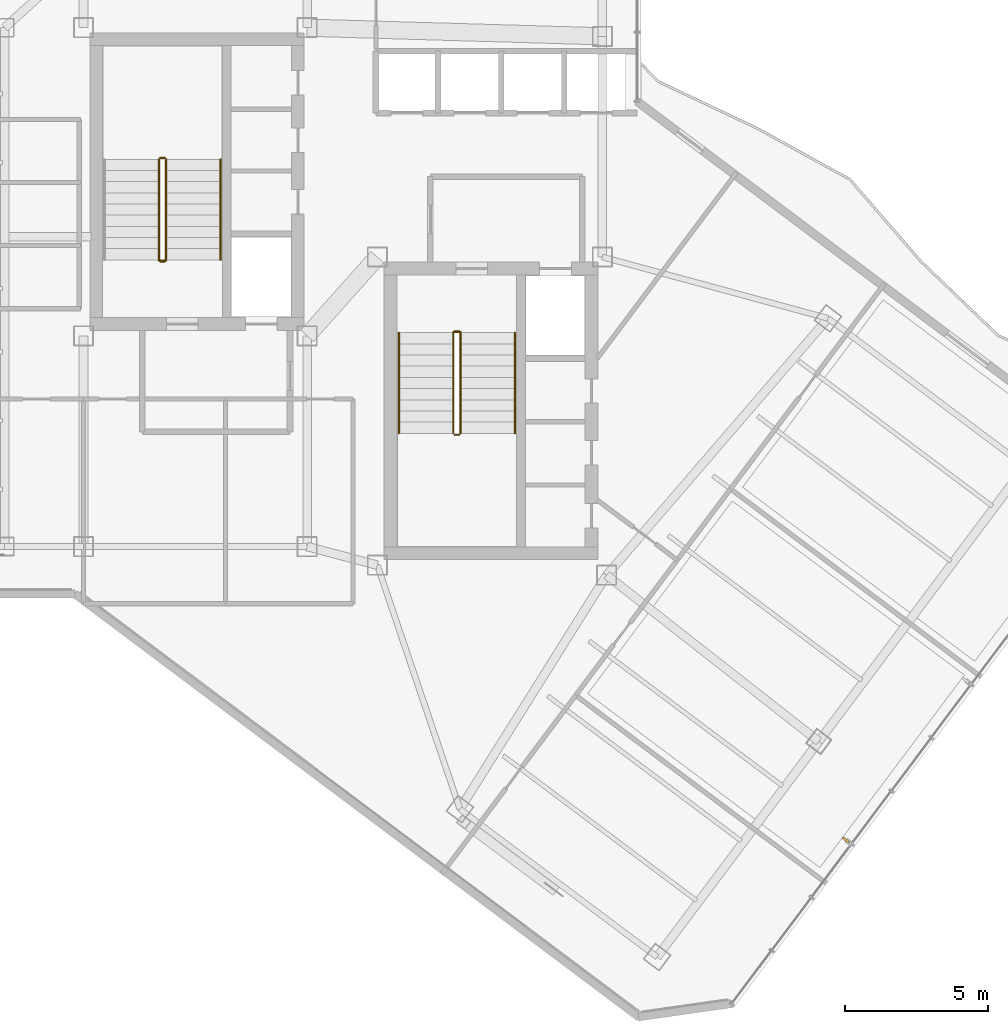
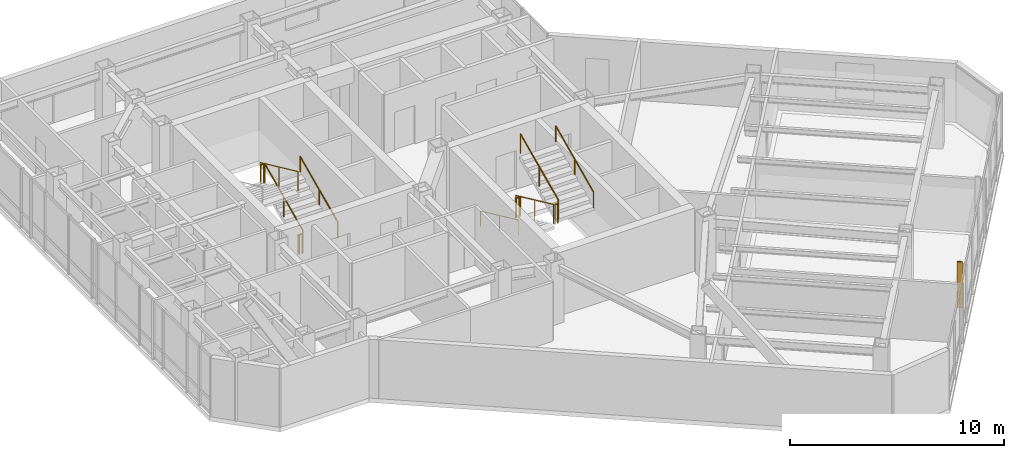
# One storey, part 24 of 26: 13 railings, 1 shading device.
"""IFC4 building model written with IfcOpenShell, lengths in metres."""

from ifc_helpers import new_model, si_unit, direction, frame, origin, origin_2d, place, context, subcontext, project, spatial, rectangle, circle, extrude, material, layer, layer_set, type_object, element, save


model = new_model("IFC4")

# Units and contexts
model_context = context("Model", 3, precision=1e-05, world=origin(), true_north=direction((0.0, 1.0)))
body_context = subcontext(model_context, "Body", "Model", "MODEL_VIEW")
ifc_project = project(units=[si_unit("LENGTHUNIT", "METRE"), si_unit("AREAUNIT", "SQUARE_METRE"), si_unit("VOLUMEUNIT", "CUBIC_METRE"), si_unit("PLANEANGLEUNIT", "RADIAN"), si_unit("MASSUNIT", "GRAM", prefix="KILO")], contexts=[model_context])

# Site, building, storey
site_placement = place(None, origin())
site = spatial("IfcSite", under=ifc_project, at=site_placement, CompositionType="ELEMENT")
building_placement = place(site_placement, origin())
building = spatial("IfcBuilding", under=site, at=building_placement, Name="Hatsunagi Terrace Concourse", CompositionType="ELEMENT")
storey_placement = place(building_placement, frame((0.0, 0.0, 227.550048828125)))
storey = spatial("IfcBuildingStorey", under=building, at=storey_placement, Name="L60", CompositionType="ELEMENT", Elevation=227.550048828125)

# Railings
ifc_material_1 = material(Name="Stainless steel", Category="steel")
ifc_layer_1 = layer(ifc_material_1, 0.044921875)
ifc_layer_set_1 = layer_set([ifc_layer_1], Name="StairPitchHandrail_Tower2000")
railing_type_1 = type_object("IfcRailingType", Name="StairPitchHandrail_Tower2000", PredefinedType="HANDRAIL", material=ifc_layer_set_1)
railing_1_placement = place(storey_placement, frame((30.330078125, 35.199951171875, 0.179931640625)))
element("IfcRailing", 1, at=railing_1_placement, inside=storey, type_object=railing_type_1, Name="L60 ST-A stair handrail 1", PredefinedType="HANDRAIL", context=body_context, shape_type="SweptSolid", body=[
    extrude(circle(Radius=0.02392578125, at=origin_2d()), frame((0.0, 0.0, 0.8759765625), z_axis=(0.0, 0.907948293929, 0.419082206198), x_axis=(-1.0, 0.0, 0.0)), (0.0, 0.0, 1.0), 3.865966796875),
    extrude(circle(Radius=0.02099609375, at=origin_2d()), origin(), (0.0, 0.0, 1.0), 0.851806640625),
    extrude(circle(Radius=0.02099609375, at=origin_2d()), frame((0.0, 1.7548828125, 0.81005859375)), (0.0, 0.0, 1.0), 0.851806640625),
    extrude(circle(Radius=0.02099609375, at=origin_2d()), frame((0.0, 3.510009765625, 1.6201171875)), (0.0, 0.0, 1.0), 0.851806640625),
])
railing_2_placement = place(storey_placement, frame((36.550048828125, 32.659912109375, 0.179931640625)))
element("IfcRailing", 2, at=railing_2_placement, inside=storey, type_object=railing_type_1, Name="L60 ST-B stair handrail 1", PredefinedType="HANDRAIL", context=body_context, shape_type="SweptSolid", body=[
    extrude(circle(Radius=0.02392578125, at=origin_2d()), frame((0.0, 0.0, 0.8759765625), z_axis=(0.0, -0.907948293929, 0.419082206198), x_axis=(1.0, 0.0, 0.0)), (0.0, 0.0, 1.0), 3.865966796875),
    extrude(circle(Radius=0.02099609375, at=origin_2d()), origin(), (0.0, 0.0, 1.0), 0.851806640625),
    extrude(circle(Radius=0.02099609375, at=origin_2d()), frame((0.0, -1.7548828125, 0.81005859375)), (0.0, 0.0, 1.0), 0.851806640625),
    extrude(circle(Radius=0.02099609375, at=origin_2d()), frame((0.0, -3.510009765625, 1.6201171875)), (0.0, 0.0, 1.0), 0.851806640625),
])
railing_3_placement = place(storey_placement, frame((40.60009765625, 29.14990234375, 1.97998046875)))
element("IfcRailing", 3, at=railing_3_placement, inside=storey, type_object=railing_type_1, Name="L60 ST-B stair handrail 2", PredefinedType="HANDRAIL", context=body_context, shape_type="SweptSolid", body=[
    extrude(circle(Radius=0.02392578125, at=origin_2d()), frame((0.0, 0.0, 0.8759765625), z_axis=(0.0, 0.907972323039, 0.419030142823), x_axis=(-1.0, 0.0, 0.0)), (0.0, 0.0, 1.0), 3.86572265625),
    extrude(circle(Radius=0.02099609375, at=origin_2d()), origin(), (0.0, 0.0, 1.0), 0.851806640625),
    extrude(circle(Radius=0.02099609375, at=origin_2d()), frame((0.0, 1.7548828125, 0.81005859375)), (0.0, 0.0, 1.0), 0.851806640625),
    extrude(circle(Radius=0.02099609375, at=origin_2d()), frame((0.0, 3.510009765625, 1.619873046875)), (0.0, 0.0, 1.0), 0.851806640625),
])
ifc_material_2 = material(Name="Stainless steel", Category="steel")
ifc_layer_2 = layer(ifc_material_2, 0.06005859375)
ifc_layer_set_2 = layer_set([ifc_layer_2], Name="StairWellGuard_Tower2000")
railing_type_2 = type_object("IfcRailingType", Name="StairWellGuard_Tower2000", PredefinedType="BALUSTRADE", material=ifc_layer_set_2)
railing_4_placement = place(storey_placement, frame((28.429931640625, 35.199951171875, 0.179931640625)))
element("IfcRailing", 4, at=railing_4_placement, inside=storey, type_object=railing_type_2, Name="L60 ST-A stair guard 1", PredefinedType="BALUSTRADE", context=body_context, shape_type="SweptSolid", body=[
    extrude(circle(Radius=0.02392578125, at=origin_2d()), frame((0.0, 0.0, 1.09619140625), z_axis=(0.0, 0.907948293929, 0.419082206198), x_axis=(-1.0, 0.0, 0.0)), (0.0, 0.0, 1.0), 3.865966796875),
    extrude(circle(Radius=0.02099609375, at=origin_2d()), origin(), (0.0, 0.0, 1.0), 1.072021484375),
    extrude(circle(Radius=0.02099609375, at=origin_2d()), frame((0.0, 1.7548828125, 0.81005859375)), (0.0, 0.0, 1.0), 1.072021484375),
    extrude(circle(Radius=0.02099609375, at=origin_2d()), frame((0.0, 3.510009765625, 1.6201171875)), (0.0, 0.0, 1.0), 1.072021484375),
])
railing_5_placement = place(storey_placement, frame((28.3798828125, 38.760009765625, 1.800048828125)))
element("IfcRailing", 5, at=railing_5_placement, inside=storey, type_object=railing_type_2, Name="L60 ST-A stair guard 2", PredefinedType="BALUSTRADE", context=body_context, shape_type="SweptSolid", body=[
    extrude(circle(Radius=0.02392578125, at=origin_2d()), frame((0.0, 0.0, 1.09619140625), z_axis=(-1.0, 0.0, 0.0), x_axis=(0.0, -1.0, 0.0)), (0.0, 0.0, 1.0), 0.14990234375),
    extrude(circle(Radius=0.02099609375, at=origin_2d()), origin(), (0.0, 0.0, 1.0), 1.072021484375),
    extrude(circle(Radius=0.02099609375, at=origin_2d()), frame((-0.14990234375, 0.0, 0.0)), (0.0, 0.0, 1.0), 1.072021484375),
])
railing_6_placement = place(storey_placement, frame((28.179931640625, 38.7099609375, 1.97998046875)))
element("IfcRailing", 6, at=railing_6_placement, inside=storey, type_object=railing_type_2, Name="L60 ST-A stair guard 3", PredefinedType="BALUSTRADE", context=body_context, shape_type="SweptSolid", body=[
    extrude(circle(Radius=0.02392578125, at=origin_2d()), frame((0.0, 0.0, 1.09619140625), z_axis=(0.0, -0.907972323039, 0.419030142823), x_axis=(1.0, 0.0, 0.0)), (0.0, 0.0, 1.0), 3.86572265625),
    extrude(circle(Radius=0.02099609375, at=origin_2d()), origin(), (0.0, 0.0, 1.0), 1.072021484375),
    extrude(circle(Radius=0.02099609375, at=origin_2d()), frame((0.0, -1.7548828125, 0.81005859375)), (0.0, 0.0, 1.0), 1.072021484375),
    extrude(circle(Radius=0.02099609375, at=origin_2d()), frame((0.0, -3.510009765625, 1.619873046875)), (0.0, 0.0, 1.0), 1.072021484375),
])
railing_7_placement = place(storey_placement, frame((28.3798828125, 35.14990234375, 0.0)))
element("IfcRailing", 7, at=railing_7_placement, inside=storey, type_object=railing_type_2, Name="L60 ST-A stair guard 4", PredefinedType="BALUSTRADE", context=body_context, shape_type="SweptSolid", body=[
    extrude(circle(Radius=0.02392578125, at=origin_2d()), frame((0.0, 0.0, 1.09619140625), z_axis=(-1.0, 0.0, 0.0), x_axis=(0.0, -1.0, 0.0)), (0.0, 0.0, 1.0), 0.14990234375),
    extrude(circle(Radius=0.02099609375, at=origin_2d()), origin(), (0.0, 0.0, 1.0), 1.072021484375),
    extrude(circle(Radius=0.02099609375, at=origin_2d()), frame((-0.14990234375, 0.0, 0.0)), (0.0, 0.0, 1.0), 1.072021484375),
])
railing_8_placement = place(storey_placement, frame((38.449951171875, 32.659912109375, 0.179931640625)))
element("IfcRailing", 8, at=railing_8_placement, inside=storey, type_object=railing_type_2, Name="L60 ST-B stair guard 1", PredefinedType="BALUSTRADE", context=body_context, shape_type="SweptSolid", body=[
    extrude(circle(Radius=0.02392578125, at=origin_2d()), frame((0.0, 0.0, 1.09619140625), z_axis=(0.0, -0.907948293929, 0.419082206198), x_axis=(1.0, 0.0, 0.0)), (0.0, 0.0, 1.0), 3.865966796875),
    extrude(circle(Radius=0.02099609375, at=origin_2d()), origin(), (0.0, 0.0, 1.0), 1.072021484375),
    extrude(circle(Radius=0.02099609375, at=origin_2d()), frame((0.0, -1.7548828125, 0.81005859375)), (0.0, 0.0, 1.0), 1.072021484375),
    extrude(circle(Radius=0.02099609375, at=origin_2d()), frame((0.0, -3.510009765625, 1.6201171875)), (0.0, 0.0, 1.0), 1.072021484375),
])
railing_9_placement = place(storey_placement, frame((38.5, 29.10009765625, 1.800048828125)))
element("IfcRailing", 9, at=railing_9_placement, inside=storey, type_object=railing_type_2, Name="L60 ST-B stair guard 2", PredefinedType="BALUSTRADE", context=body_context, shape_type="SweptSolid", body=[
    extrude(circle(Radius=0.02392578125, at=origin_2d()), frame((0.0, 0.0, 1.09619140625), z_axis=(1.0, 0.0, 0.0), x_axis=(0.0, 1.0, 0.0)), (0.0, 0.0, 1.0), 0.14990234375),
    extrude(circle(Radius=0.02099609375, at=origin_2d()), origin(), (0.0, 0.0, 1.0), 1.072021484375),
    extrude(circle(Radius=0.02099609375, at=origin_2d()), frame((0.14990234375, 0.0, 0.0)), (0.0, 0.0, 1.0), 1.072021484375),
])
railing_10_placement = place(storey_placement, frame((38.699951171875, 29.14990234375, 1.97998046875)))
element("IfcRailing", 10, at=railing_10_placement, inside=storey, type_object=railing_type_2, Name="L60 ST-B stair guard 3", PredefinedType="BALUSTRADE", context=body_context, shape_type="SweptSolid", body=[
    extrude(circle(Radius=0.02392578125, at=origin_2d()), frame((0.0, 0.0, 1.09619140625), z_axis=(0.0, 0.907972323039, 0.419030142823), x_axis=(-1.0, 0.0, 0.0)), (0.0, 0.0, 1.0), 3.86572265625),
    extrude(circle(Radius=0.02099609375, at=origin_2d()), origin(), (0.0, 0.0, 1.0), 1.072021484375),
    extrude(circle(Radius=0.02099609375, at=origin_2d()), frame((0.0, 1.7548828125, 0.81005859375)), (0.0, 0.0, 1.0), 1.072021484375),
    extrude(circle(Radius=0.02099609375, at=origin_2d()), frame((0.0, 3.510009765625, 1.619873046875)), (0.0, 0.0, 1.0), 1.072021484375),
])
railing_11_placement = place(storey_placement, frame((38.5, 32.7099609375, 0.0)))
element("IfcRailing", 11, at=railing_11_placement, inside=storey, type_object=railing_type_2, Name="L60 ST-B stair guard 4", PredefinedType="BALUSTRADE", context=body_context, shape_type="SweptSolid", body=[
    extrude(circle(Radius=0.02392578125, at=origin_2d()), frame((0.0, 0.0, 1.09619140625), z_axis=(1.0, 0.0, 0.0), x_axis=(0.0, 1.0, 0.0)), (0.0, 0.0, 1.0), 0.14990234375),
    extrude(circle(Radius=0.02099609375, at=origin_2d()), origin(), (0.0, 0.0, 1.0), 1.072021484375),
    extrude(circle(Radius=0.02099609375, at=origin_2d()), frame((0.14990234375, 0.0, 0.0)), (0.0, 0.0, 1.0), 1.072021484375),
])
ifc_material_3 = material(Name="Stainless Steel SUS316 Post-and-Rail Guard", Category="steel")
ifc_layer_3 = layer(ifc_material_3, 0.080078125)
ifc_layer_set_3 = layer_set([ifc_layer_3], Name="TerracePlantedGuardRail_1200")
railing_type_3 = type_object("IfcRailingType", Name="TerracePlantedGuardRail_1200", PredefinedType="GUARDRAIL", material=ifc_layer_set_3)
for number, where, name in (
    (12, (28.179931640625, 35.179931640625, 0.0), "Stair ST-A Well Closure Guard L60"),
    (13, (38.449951171875, 32.679931640625, 0.0), "Stair ST-B Well Closure Guard L60"),
):
    element("IfcRailing", number, at=place(storey_placement, frame(where)), inside=storey, type_object=railing_type_3, Name=name, PredefinedType="GUARDRAIL", context=body_context, shape_type="SweptSolid", body=[
        extrude(circle(Radius=0.02392578125, at=origin_2d()), frame((0.0, 0.0, 1.09619140625), z_axis=(1.0, 0.0, 0.0), x_axis=(0.0, 1.0, 0.0)), (0.0, 0.0, 1.0), 0.25),
        extrude(circle(Radius=0.02099609375, at=origin_2d()), origin(), (0.0, 0.0, 1.0), 1.072021484375),
        extrude(circle(Radius=0.02099609375, at=origin_2d()), frame((0.25, 0.0, 0.0)), (0.0, 0.0, 1.0), 1.072021484375),
    ])

# Shading device
ifc_material_4 = material(Name="Extruded Unglazed Terracotta Baguette", Category="masonry")
shading_device_type = type_object("IfcShadingDeviceType", Name="TerracottaFinScreen_260x70", PredefinedType="USERDEFINED", material=ifc_material_4)
shading_device_placement = place(storey_placement, frame((52.139892578125, 14.968994140625, 0.849853515625), z_axis=(0.0, 0.0, 1.0), x_axis=(-0.599969314634, -0.800023013105, 0.0)))
element("IfcShadingDevice", 14, at=shading_device_placement, inside=storey, type_object=shading_device_type, Name="Terracotta Baguette Fin Screen SCR-01", ObjectType="SUNSHADE", PredefinedType="USERDEFINED", context=body_context, shape_type="SweptSolid", body=[
    extrude(rectangle(XDim=0.070068359375, YDim=0.260009765625, at=origin_2d()), origin(), (0.0, 0.0, 1.0), 2.60009765625),
])

save(model, "model.ifc")
